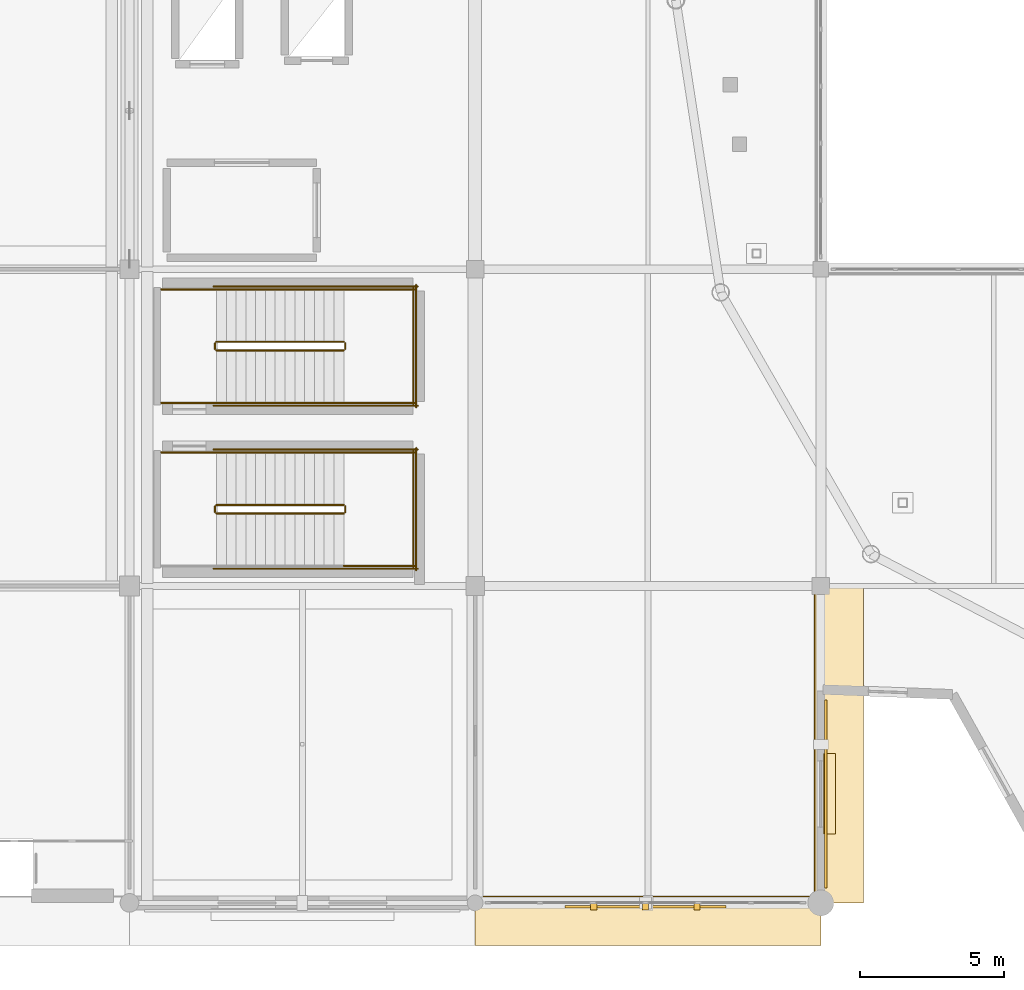
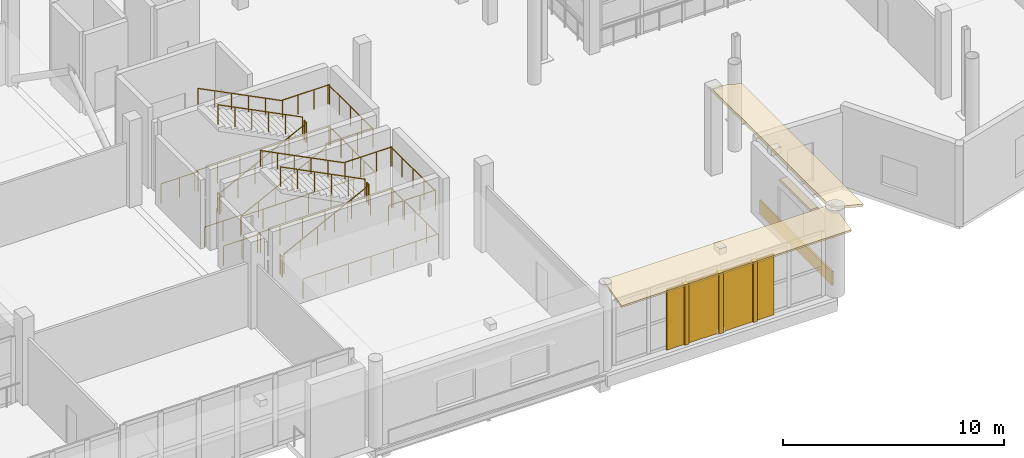
# One storey, part 120 of 143: 26 railings, 7 coverings, 1 shading device.
"""IFC4 building model written with IfcOpenShell, lengths in metres."""

from ifc_helpers import new_model, si_unit, direction, frame, origin, origin_2d, place, context, subcontext, project, spatial, polyline, rectangle, circle, outline, extrude, material, layer, layer_set, type_object, element, save


model = new_model("IFC4")

# Units and contexts
model_context = context("Model", 3, precision=1e-05, world=origin(), true_north=direction((0.0, 1.0)))
body_context = subcontext(model_context, "Body", "Model", "MODEL_VIEW")
ifc_project = project(units=[si_unit("LENGTHUNIT", "METRE"), si_unit("AREAUNIT", "SQUARE_METRE"), si_unit("VOLUMEUNIT", "CUBIC_METRE"), si_unit("PLANEANGLEUNIT", "RADIAN"), si_unit("MASSUNIT", "GRAM", prefix="KILO")], contexts=[model_context])

# Site, building, storey
site_placement = place(None, origin())
site = spatial("IfcSite", under=ifc_project, at=site_placement, CompositionType="ELEMENT")
building_placement = place(site_placement, origin())
building = spatial("IfcBuilding", under=site, at=building_placement, Name="Luwafu Chhajja Arena", CompositionType="ELEMENT")
storey_placement = place(building_placement, frame((0.0, 0.0, 5.39990234375)))
storey = spatial("IfcBuildingStorey", under=building, at=storey_placement, Name="L01", CompositionType="ELEMENT", Elevation=5.39990234375)

# Coverings
ifc_material_1 = material(Name="Red laterite sandstone cladding", Category="masonry")
ifc_layer_1 = layer(ifc_material_1, 0.074951171875, Name="Red laterite sandstone cladding")
ifc_layer_set_1 = layer_set([ifc_layer_1], Name="Red laterite sandstone cladding")
covering_type = type_object("IfcCoveringType", Name="Dressed Red-Laterite Sandstone Cladding", PredefinedType="CLADDING", material=ifc_layer_set_1)
covering_1_placement = place(storey_placement, frame((46.0, 0.199951171875, 4.760009765625), z_axis=(0.0, -0.242502450825, 0.970150793096), x_axis=(1.0, 0.0, 0.0)))
element("IfcCovering", 1, at=covering_1_placement, inside=storey, type_object=covering_type, Name="L01 Continuous Sloped Sandstone Chhajja Eave 0090", PredefinedType="CLADDING", context=body_context, shape_type="SweptSolid", body=[
    extrude(outline(polyline([(0.0, 0.0), (12.0, 0.0), (12.0, -1.731619097341133), (0.0, -1.731619097341133), (0.0, 0.0)])), origin(), (0.0, 0.0, -1.0), 0.1298828125),
])
for number, where, z_axis, x_axis, name in (
    (2, (50.12060546875, -0.1298828125, 0.0), (0.0, 0.0, 1.0), (1.0, 0.0, 0.0), "L01 Sandstone Jali Mullion Fin 012"),
    (3, (51.91259765625, -0.1298828125, 0.0), (0.0, 0.0, 1.0), (1.0, 0.0, 0.0), "L01 Sandstone Jali Mullion Fin 012"),
    (4, (53.70458984375, -0.1298828125, 0.0), (0.0, 0.0, 1.0), (1.0, 0.0, 0.0), "L01 Sandstone Jali Mullion Fin 012"),
):
    element("IfcCovering", number, at=place(storey_placement, frame(where, z_axis=z_axis, x_axis=x_axis)), inside=storey, type_object=covering_type, Name=name, PredefinedType="CLADDING", context=body_context, shape_type="SweptSolid", body=[
        extrude(rectangle(XDim=0.219970703125, YDim=0.239990234375, at=origin_2d()), origin(), (0.0, 0.0, 1.0), 3.340087890625),
    ])
covering_2_placement = place(storey_placement, frame((57.800048828125, 0.0, 4.760009765625), z_axis=(0.242502450825, 0.0, 0.970150793096), x_axis=(0.0, 1.0, 0.0)))
element("IfcCovering", 5, at=covering_2_placement, inside=storey, type_object=covering_type, Name="L01 Continuous Sloped Sandstone Chhajja Eave 0091", PredefinedType="CLADDING", context=body_context, shape_type="SweptSolid", body=[
    extrude(outline(polyline([(0.0, 0.0), (11.0, 0.0), (11.0, -1.731619097341133), (0.0, -1.731619097341133), (0.0, 0.0)])), origin(), (0.0, 0.0, -1.0), 0.1298828125),
])
covering_3_placement = place(storey_placement, frame((58.172119140625, 3.7841796875, 0.0), z_axis=(0.0, 0.0, 1.0), x_axis=(0.0, 1.0, 0.0)))
element("IfcCovering", 6, at=covering_3_placement, inside=storey, type_object=covering_type, Name="L01 Red-Laterite Sandstone Plinth Cladding 021", PredefinedType="CLADDING", context=body_context, shape_type="SweptSolid", body=[
    extrude(rectangle(XDim=6.5283203125, YDim=0.0849609375, at=origin_2d()), origin(), (0.0, 0.0, 1.0), 0.760009765625),
])
covering_4_placement = place(storey_placement, frame((58.300048828125, 3.7841796875, 2.93017578125), z_axis=(0.0, 0.0, 1.0), x_axis=(0.0, 1.0, 0.0)))
element("IfcCovering", 7, at=covering_4_placement, inside=storey, type_object=covering_type, Name="L01 Mughal Sandstone Window Chhajja Hood 0020", PredefinedType="CLADDING", context=body_context, shape_type="SweptSolid", body=[
    extrude(rectangle(XDim=2.800048828125, YDim=0.419921875, at=origin_2d()), origin(), (0.0, 0.0, 1.0), 0.139892578125),
])

# Shading device
ifc_material_2 = material(Name="Pierced buff sandstone jali", Category="masonry")
ifc_layer_2 = layer(ifc_material_2, 0.080078125, Name="Pierced buff sandstone jali")
ifc_layer_set_2 = layer_set([ifc_layer_2], Name="Pierced buff sandstone jali")
shading_device_type = type_object("IfcShadingDeviceType", Name="Pierced Buff-Sandstone Jali Screen", PredefinedType="JALOUSIE", material=ifc_layer_set_2)
shading_device_placement = place(storey_placement, frame((51.91259765625, -0.1298828125, 0.0), z_axis=(0.0, 0.0, 1.0), x_axis=(1.0, 0.0, 0.0)))
element("IfcShadingDevice", 8, at=shading_device_placement, inside=storey, type_object=shading_device_type, Name="L01 Pierced Buff-Sandstone Jali Screen 012", PredefinedType="JALOUSIE", context=body_context, shape_type="SweptSolid", body=[
    extrude(rectangle(XDim=5.60009765625, YDim=0.080078125, at=origin_2d()), origin(), (0.0, 0.0, 1.0), 3.340087890625),
])

# Railings
ifc_material_3 = material(Name="Stainless steel handrail", Category="steel")
railing_type_1 = type_object("IfcRailingType", Name="Stair Pitch Wall Handrail 920", PredefinedType="HANDRAIL", material=ifc_material_3)
railing_1_placement = place(storey_placement, frame((41.43994140625, 15.639892578125, 2.571533203125)))
element("IfcRailing", 9, at=railing_1_placement, inside=storey, type_object=railing_type_1, Name="L01 ST-01 stair handrail 2", PredefinedType="HANDRAIL", context=body_context, shape_type="SweptSolid", body=[
    extrude(circle(Radius=0.02392578125, at=origin_2d()), frame((0.0, 0.0, 0.8759765625), z_axis=(-0.89292277971, 0.0, 0.450209850486), x_axis=(0.0, -1.0, 0.0)), (0.0, 0.0, 1.0), 4.949951171875),
    extrude(circle(Radius=0.02099609375, at=origin_2d()), origin(), (0.0, 0.0, 1.0), 0.851806640625),
    extrude(circle(Radius=0.02099609375, at=origin_2d()), frame((-0.884033203125, 0.0, 0.44580078125)), (0.0, 0.0, 1.0), 0.851806640625),
    extrude(circle(Radius=0.02099609375, at=origin_2d()), frame((-1.76806640625, 0.0, 0.891357421875)), (0.0, 0.0, 1.0), 0.851806640625),
    extrude(circle(Radius=0.02099609375, at=origin_2d()), frame((-2.65185546875, 0.0, 1.337158203125)), (0.0, 0.0, 1.0), 0.851806640625),
    extrude(circle(Radius=0.02099609375, at=origin_2d()), frame((-3.535888671875, 0.0, 1.78271484375)), (0.0, 0.0, 1.0), 0.851806640625),
    extrude(circle(Radius=0.02099609375, at=origin_2d()), frame((-4.419921875, 0.0, 2.228515625)), (0.0, 0.0, 1.0), 0.851806640625),
])
railing_2_placement = place(storey_placement, frame((37.02001953125, 17.360107421875, 0.171630859375)))
element("IfcRailing", 10, at=railing_2_placement, inside=storey, type_object=railing_type_1, Name="L01 ST-02 stair handrail 1", PredefinedType="HANDRAIL", context=body_context, shape_type="SweptSolid", body=[
    extrude(circle(Radius=0.02392578125, at=origin_2d()), frame((0.0, 0.0, 0.8759765625), z_axis=(0.89292277971, 0.0, 0.450209850486), x_axis=(0.0, 1.0, 0.0)), (0.0, 0.0, 1.0), 4.949951171875),
    extrude(circle(Radius=0.02099609375, at=origin_2d()), origin(), (0.0, 0.0, 1.0), 0.851806640625),
    extrude(circle(Radius=0.02099609375, at=origin_2d()), frame((0.884033203125, 0.0, 0.44580078125)), (0.0, 0.0, 1.0), 0.851806640625),
    extrude(circle(Radius=0.02099609375, at=origin_2d()), frame((1.76806640625, 0.0, 0.891357421875)), (0.0, 0.0, 1.0), 0.851806640625),
    extrude(circle(Radius=0.02099609375, at=origin_2d()), frame((2.65185546875, 0.0, 1.337158203125)), (0.0, 0.0, 1.0), 0.851806640625),
    extrude(circle(Radius=0.02099609375, at=origin_2d()), frame((3.535888671875, 0.0, 1.78271484375)), (0.0, 0.0, 1.0), 0.851806640625),
    extrude(circle(Radius=0.02099609375, at=origin_2d()), frame((4.419921875, 0.0, 2.228515625)), (0.0, 0.0, 1.0), 0.851806640625),
])
railing_3_placement = place(storey_placement, frame((41.43994140625, 21.300048828125, 2.571533203125)))
element("IfcRailing", 11, at=railing_3_placement, inside=storey, type_object=railing_type_1, Name="L01 ST-02 stair handrail 2", PredefinedType="HANDRAIL", context=body_context, shape_type="SweptSolid", body=[
    extrude(circle(Radius=0.02392578125, at=origin_2d()), frame((0.0, 0.0, 0.8759765625), z_axis=(-0.89292277971, 0.0, 0.450209850486), x_axis=(0.0, -1.0, 0.0)), (0.0, 0.0, 1.0), 4.949951171875),
    extrude(circle(Radius=0.02099609375, at=origin_2d()), origin(), (0.0, 0.0, 1.0), 0.851806640625),
    extrude(circle(Radius=0.02099609375, at=origin_2d()), frame((-0.884033203125, 0.0, 0.44580078125)), (0.0, 0.0, 1.0), 0.851806640625),
    extrude(circle(Radius=0.02099609375, at=origin_2d()), frame((-1.76806640625, 0.0, 0.891357421875)), (0.0, 0.0, 1.0), 0.851806640625),
    extrude(circle(Radius=0.02099609375, at=origin_2d()), frame((-2.65185546875, 0.0, 1.337158203125)), (0.0, 0.0, 1.0), 0.851806640625),
    extrude(circle(Radius=0.02099609375, at=origin_2d()), frame((-3.535888671875, 0.0, 1.78271484375)), (0.0, 0.0, 1.0), 0.851806640625),
    extrude(circle(Radius=0.02099609375, at=origin_2d()), frame((-4.419921875, 0.0, 2.228515625)), (0.0, 0.0, 1.0), 0.851806640625),
])
ifc_material_4 = material(Name="Stainless steel balustrade", Category="steel")
railing_type_2 = type_object("IfcRailingType", Name="Stair and Terrace Guard Balustrade 1100", PredefinedType="BALUSTRADE", material=ifc_material_4)
railing_4_placement = place(storey_placement, frame((37.02001953125, 13.52001953125, 0.171630859375)))
element("IfcRailing", 12, at=railing_4_placement, inside=storey, type_object=railing_type_2, Name="L01 ST-01 stair guard 1", PredefinedType="BALUSTRADE", context=body_context, shape_type="SweptSolid", body=[
    extrude(circle(Radius=0.02392578125, at=origin_2d()), frame((0.0, 0.0, 1.076171875), z_axis=(0.89292277971, 0.0, 0.450209850486), x_axis=(0.0, 1.0, 0.0)), (0.0, 0.0, 1.0), 4.949951171875),
    extrude(circle(Radius=0.02099609375, at=origin_2d()), origin(), (0.0, 0.0, 1.0), 1.052001953125),
    extrude(circle(Radius=0.02099609375, at=origin_2d()), frame((0.884033203125, 0.0, 0.44580078125)), (0.0, 0.0, 1.0), 1.052001953125),
    extrude(circle(Radius=0.02099609375, at=origin_2d()), frame((1.76806640625, 0.0, 0.891357421875)), (0.0, 0.0, 1.0), 1.052001953125),
    extrude(circle(Radius=0.02099609375, at=origin_2d()), frame((2.65185546875, 0.0, 1.337158203125)), (0.0, 0.0, 1.0), 1.052001953125),
    extrude(circle(Radius=0.02099609375, at=origin_2d()), frame((3.535888671875, 0.0, 1.78271484375)), (0.0, 0.0, 1.0), 1.052001953125),
    extrude(circle(Radius=0.02099609375, at=origin_2d()), frame((4.419921875, 0.0, 2.228515625)), (0.0, 0.0, 1.0), 1.052001953125),
])
railing_5_placement = place(storey_placement, frame((41.489990234375, 13.570068359375, 2.400146484375)))
element("IfcRailing", 13, at=railing_5_placement, inside=storey, type_object=railing_type_2, Name="L01 ST-01 stair guard 2", PredefinedType="BALUSTRADE", context=body_context, shape_type="SweptSolid", body=[
    extrude(circle(Radius=0.02392578125, at=origin_2d()), frame((0.0, 0.0, 1.076171875), z_axis=(0.0, 1.0, 0.0), x_axis=(-1.0, 0.0, 0.0)), (0.0, 0.0, 1.0), 0.199951171875),
    extrude(circle(Radius=0.02099609375, at=origin_2d()), origin(), (0.0, 0.0, 1.0), 1.052001953125),
    extrude(circle(Radius=0.02099609375, at=origin_2d()), frame((0.0, 0.199951171875, 0.0)), (0.0, 0.0, 1.0), 1.052001953125),
])
for number, where, name in (
    (14, (41.43994140625, 11.699951171875, 2.400146484375), "L01 ST-01 stair guard 3"),
    (15, (41.43994140625, 15.639892578125, 2.400146484375), "L01 ST-01 stair guard 4"),
):
    element("IfcRailing", number, at=place(storey_placement, frame(where)), inside=storey, type_object=railing_type_2, Name=name, PredefinedType="BALUSTRADE", context=body_context, shape_type="SweptSolid", body=[
        extrude(circle(Radius=0.02392578125, at=origin_2d()), frame((0.0, 0.0, 1.076171875), z_axis=(1.0, 0.0, 0.0), x_axis=(0.0, 1.0, 0.0)), (0.0, 0.0, 1.0), 2.4599609375),
        extrude(circle(Radius=0.02099609375, at=origin_2d()), origin(), (0.0, 0.0, 1.0), 1.052001953125),
        extrude(circle(Radius=0.02099609375, at=origin_2d()), frame((0.820068359375, 0.0, 0.0)), (0.0, 0.0, 1.0), 1.052001953125),
        extrude(circle(Radius=0.02099609375, at=origin_2d()), frame((1.639892578125, 0.0, 0.0)), (0.0, 0.0, 1.0), 1.052001953125),
        extrude(circle(Radius=0.02099609375, at=origin_2d()), frame((2.4599609375, 0.0, 0.0)), (0.0, 0.0, 1.0), 1.052001953125),
    ])
railing_6_placement = place(storey_placement, frame((43.85009765625, 11.64990234375, 2.400146484375)))
element("IfcRailing", 16, at=railing_6_placement, inside=storey, type_object=railing_type_2, Name="L01 ST-01 stair guard 5", PredefinedType="BALUSTRADE", context=body_context, shape_type="SweptSolid", body=[
    extrude(circle(Radius=0.02392578125, at=origin_2d()), frame((0.0, 0.0, 1.076171875), z_axis=(0.0, 1.0, 0.0), x_axis=(-1.0, 0.0, 0.0)), (0.0, 0.0, 1.0), 4.0400390625),
    extrude(circle(Radius=0.02099609375, at=origin_2d()), origin(), (0.0, 0.0, 1.0), 1.052001953125),
    extrude(circle(Radius=0.02099609375, at=origin_2d()), frame((0.0, 1.010009765625, 0.0)), (0.0, 0.0, 1.0), 1.052001953125),
    extrude(circle(Radius=0.02099609375, at=origin_2d()), frame((0.0, 2.02001953125, 0.0)), (0.0, 0.0, 1.0), 1.052001953125),
    extrude(circle(Radius=0.02099609375, at=origin_2d()), frame((0.0, 3.030029296875, 0.0)), (0.0, 0.0, 1.0), 1.052001953125),
    extrude(circle(Radius=0.02099609375, at=origin_2d()), frame((0.0, 4.0400390625, 0.0)), (0.0, 0.0, 1.0), 1.052001953125),
])
railing_7_placement = place(storey_placement, frame((41.43994140625, 13.820068359375, 2.571533203125)))
element("IfcRailing", 17, at=railing_7_placement, inside=storey, type_object=railing_type_2, Name="L01 ST-01 stair guard 6", PredefinedType="BALUSTRADE", context=body_context, shape_type="SweptSolid", body=[
    extrude(circle(Radius=0.02392578125, at=origin_2d()), frame((0.0, 0.0, 1.076171875), z_axis=(-0.89292277971, 0.0, 0.450209850486), x_axis=(0.0, -1.0, 0.0)), (0.0, 0.0, 1.0), 4.949951171875),
    extrude(circle(Radius=0.02099609375, at=origin_2d()), origin(), (0.0, 0.0, 1.0), 1.052001953125),
    extrude(circle(Radius=0.02099609375, at=origin_2d()), frame((-0.884033203125, 0.0, 0.44580078125)), (0.0, 0.0, 1.0), 1.052001953125),
    extrude(circle(Radius=0.02099609375, at=origin_2d()), frame((-1.76806640625, 0.0, 0.891357421875)), (0.0, 0.0, 1.0), 1.052001953125),
    extrude(circle(Radius=0.02099609375, at=origin_2d()), frame((-2.65185546875, 0.0, 1.337158203125)), (0.0, 0.0, 1.0), 1.052001953125),
    extrude(circle(Radius=0.02099609375, at=origin_2d()), frame((-3.535888671875, 0.0, 1.78271484375)), (0.0, 0.0, 1.0), 1.052001953125),
    extrude(circle(Radius=0.02099609375, at=origin_2d()), frame((-4.419921875, 0.0, 2.228515625)), (0.0, 0.0, 1.0), 1.052001953125),
])
railing_8_placement = place(storey_placement, frame((36.969970703125, 13.570068359375, 0.0)))
element("IfcRailing", 18, at=railing_8_placement, inside=storey, type_object=railing_type_2, Name="L01 ST-01 stair guard 7", PredefinedType="BALUSTRADE", context=body_context, shape_type="SweptSolid", body=[
    extrude(circle(Radius=0.02392578125, at=origin_2d()), frame((0.0, 0.0, 1.076171875), z_axis=(0.0, 1.0, 0.0), x_axis=(-1.0, 0.0, 0.0)), (0.0, 0.0, 1.0), 0.199951171875),
    extrude(circle(Radius=0.02099609375, at=origin_2d()), origin(), (0.0, 0.0, 1.0), 1.052001953125),
    extrude(circle(Radius=0.02099609375, at=origin_2d()), frame((0.0, 0.199951171875, 0.0)), (0.0, 0.0, 1.0), 1.052001953125),
])
railing_9_placement = place(storey_placement, frame((35.10009765625, 15.639892578125, 0.0)))
element("IfcRailing", 19, at=railing_9_placement, inside=storey, type_object=railing_type_2, Name="L01 ST-01 stair guard 9", PredefinedType="BALUSTRADE", context=body_context, shape_type="SweptSolid", body=[
    extrude(circle(Radius=0.02392578125, at=origin_2d()), frame((0.0, 0.0, 1.076171875), z_axis=(1.0, 0.0, 0.0), x_axis=(0.0, 1.0, 0.0)), (0.0, 0.0, 1.0), 1.919921875),
    extrude(circle(Radius=0.02099609375, at=origin_2d()), origin(), (0.0, 0.0, 1.0), 1.052001953125),
    extrude(circle(Radius=0.02099609375, at=origin_2d()), frame((0.9599609375, 0.0, 0.0)), (0.0, 0.0, 1.0), 1.052001953125),
    extrude(circle(Radius=0.02099609375, at=origin_2d()), frame((1.919921875, 0.0, 0.0)), (0.0, 0.0, 1.0), 1.052001953125),
])
for number, where, name in (
    (20, (36.919921875, 11.60009765625, 0.0), "L01 ST-01 stair guard 10"),
    (21, (36.919921875, 15.739990234375, 0.0), "L01 ST-01 stair guard 11"),
):
    element("IfcRailing", number, at=place(storey_placement, frame(where)), inside=storey, type_object=railing_type_2, Name=name, PredefinedType="BALUSTRADE", context=body_context, shape_type="SweptSolid", body=[
        extrude(circle(Radius=0.02392578125, at=origin_2d()), frame((0.0, 0.0, 1.076171875), z_axis=(1.0, 0.0, 0.0), x_axis=(0.0, 1.0, 0.0)), (0.0, 0.0, 1.0), 7.080078125),
        extrude(circle(Radius=0.02099609375, at=origin_2d()), origin(), (0.0, 0.0, 1.0), 1.052001953125),
        extrude(circle(Radius=0.02099609375, at=origin_2d()), frame((1.179931640625, 0.0, 0.0)), (0.0, 0.0, 1.0), 1.052001953125),
        extrude(circle(Radius=0.02099609375, at=origin_2d()), frame((2.360107421875, 0.0, 0.0)), (0.0, 0.0, 1.0), 1.052001953125),
        extrude(circle(Radius=0.02099609375, at=origin_2d()), frame((3.5400390625, 0.0, 0.0)), (0.0, 0.0, 1.0), 1.052001953125),
        extrude(circle(Radius=0.02099609375, at=origin_2d()), frame((4.719970703125, 0.0, 0.0)), (0.0, 0.0, 1.0), 1.052001953125),
        extrude(circle(Radius=0.02099609375, at=origin_2d()), frame((5.900146484375, 0.0, 0.0)), (0.0, 0.0, 1.0), 1.052001953125),
        extrude(circle(Radius=0.02099609375, at=origin_2d()), frame((7.080078125, 0.0, 0.0)), (0.0, 0.0, 1.0), 1.052001953125),
    ])
railing_10_placement = place(storey_placement, frame((43.949951171875, 11.550048828125, 0.0)))
element("IfcRailing", 22, at=railing_10_placement, inside=storey, type_object=railing_type_2, Name="L01 ST-01 stair guard 12", PredefinedType="BALUSTRADE", context=body_context, shape_type="SweptSolid", body=[
    extrude(circle(Radius=0.02392578125, at=origin_2d()), frame((0.0, 0.0, 1.076171875), z_axis=(0.0, 1.0, 0.0), x_axis=(-1.0, 0.0, 0.0)), (0.0, 0.0, 1.0), 4.239990234375),
    extrude(circle(Radius=0.02099609375, at=origin_2d()), origin(), (0.0, 0.0, 1.0), 1.052001953125),
    extrude(circle(Radius=0.02099609375, at=origin_2d()), frame((0.0, 1.06005859375, 0.0)), (0.0, 0.0, 1.0), 1.052001953125),
    extrude(circle(Radius=0.02099609375, at=origin_2d()), frame((0.0, 2.1201171875, 0.0)), (0.0, 0.0, 1.0), 1.052001953125),
    extrude(circle(Radius=0.02099609375, at=origin_2d()), frame((0.0, 3.179931640625, 0.0)), (0.0, 0.0, 1.0), 1.052001953125),
    extrude(circle(Radius=0.02099609375, at=origin_2d()), frame((0.0, 4.239990234375, 0.0)), (0.0, 0.0, 1.0), 1.052001953125),
])
railing_11_placement = place(storey_placement, frame((37.02001953125, 19.179931640625, 0.171630859375)))
element("IfcRailing", 23, at=railing_11_placement, inside=storey, type_object=railing_type_2, Name="L01 ST-02 stair guard 1", PredefinedType="BALUSTRADE", context=body_context, shape_type="SweptSolid", body=[
    extrude(circle(Radius=0.02392578125, at=origin_2d()), frame((0.0, 0.0, 1.076171875), z_axis=(0.89292277971, 0.0, 0.450209850486), x_axis=(0.0, 1.0, 0.0)), (0.0, 0.0, 1.0), 4.949951171875),
    extrude(circle(Radius=0.02099609375, at=origin_2d()), origin(), (0.0, 0.0, 1.0), 1.052001953125),
    extrude(circle(Radius=0.02099609375, at=origin_2d()), frame((0.884033203125, 0.0, 0.44580078125)), (0.0, 0.0, 1.0), 1.052001953125),
    extrude(circle(Radius=0.02099609375, at=origin_2d()), frame((1.76806640625, 0.0, 0.891357421875)), (0.0, 0.0, 1.0), 1.052001953125),
    extrude(circle(Radius=0.02099609375, at=origin_2d()), frame((2.65185546875, 0.0, 1.337158203125)), (0.0, 0.0, 1.0), 1.052001953125),
    extrude(circle(Radius=0.02099609375, at=origin_2d()), frame((3.535888671875, 0.0, 1.78271484375)), (0.0, 0.0, 1.0), 1.052001953125),
    extrude(circle(Radius=0.02099609375, at=origin_2d()), frame((4.419921875, 0.0, 2.228515625)), (0.0, 0.0, 1.0), 1.052001953125),
])
railing_12_placement = place(storey_placement, frame((41.489990234375, 19.22998046875, 2.400146484375)))
element("IfcRailing", 24, at=railing_12_placement, inside=storey, type_object=railing_type_2, Name="L01 ST-02 stair guard 2", PredefinedType="BALUSTRADE", context=body_context, shape_type="SweptSolid", body=[
    extrude(circle(Radius=0.02392578125, at=origin_2d()), frame((0.0, 0.0, 1.076171875), z_axis=(0.0, 1.0, 0.0), x_axis=(-1.0, 0.0, 0.0)), (0.0, 0.0, 1.0), 0.199951171875),
    extrude(circle(Radius=0.02099609375, at=origin_2d()), origin(), (0.0, 0.0, 1.0), 1.052001953125),
    extrude(circle(Radius=0.02099609375, at=origin_2d()), frame((0.0, 0.199951171875, 0.0)), (0.0, 0.0, 1.0), 1.052001953125),
])
for number, where, name in (
    (25, (41.43994140625, 17.360107421875, 2.400146484375), "L01 ST-02 stair guard 3"),
    (26, (41.43994140625, 21.300048828125, 2.400146484375), "L01 ST-02 stair guard 4"),
):
    element("IfcRailing", number, at=place(storey_placement, frame(where)), inside=storey, type_object=railing_type_2, Name=name, PredefinedType="BALUSTRADE", context=body_context, shape_type="SweptSolid", body=[
        extrude(circle(Radius=0.02392578125, at=origin_2d()), frame((0.0, 0.0, 1.076171875), z_axis=(1.0, 0.0, 0.0), x_axis=(0.0, 1.0, 0.0)), (0.0, 0.0, 1.0), 2.4599609375),
        extrude(circle(Radius=0.02099609375, at=origin_2d()), origin(), (0.0, 0.0, 1.0), 1.052001953125),
        extrude(circle(Radius=0.02099609375, at=origin_2d()), frame((0.820068359375, 0.0, 0.0)), (0.0, 0.0, 1.0), 1.052001953125),
        extrude(circle(Radius=0.02099609375, at=origin_2d()), frame((1.639892578125, 0.0, 0.0)), (0.0, 0.0, 1.0), 1.052001953125),
        extrude(circle(Radius=0.02099609375, at=origin_2d()), frame((2.4599609375, 0.0, 0.0)), (0.0, 0.0, 1.0), 1.052001953125),
    ])
railing_13_placement = place(storey_placement, frame((43.85009765625, 17.31005859375, 2.400146484375)))
element("IfcRailing", 27, at=railing_13_placement, inside=storey, type_object=railing_type_2, Name="L01 ST-02 stair guard 5", PredefinedType="BALUSTRADE", context=body_context, shape_type="SweptSolid", body=[
    extrude(circle(Radius=0.02392578125, at=origin_2d()), frame((0.0, 0.0, 1.076171875), z_axis=(0.0, 1.0, 0.0), x_axis=(-1.0, 0.0, 0.0)), (0.0, 0.0, 1.0), 4.0400390625),
    extrude(circle(Radius=0.02099609375, at=origin_2d()), origin(), (0.0, 0.0, 1.0), 1.052001953125),
    extrude(circle(Radius=0.02099609375, at=origin_2d()), frame((0.0, 1.010009765625, 0.0)), (0.0, 0.0, 1.0), 1.052001953125),
    extrude(circle(Radius=0.02099609375, at=origin_2d()), frame((0.0, 2.02001953125, 0.0)), (0.0, 0.0, 1.0), 1.052001953125),
    extrude(circle(Radius=0.02099609375, at=origin_2d()), frame((0.0, 3.030029296875, 0.0)), (0.0, 0.0, 1.0), 1.052001953125),
    extrude(circle(Radius=0.02099609375, at=origin_2d()), frame((0.0, 4.0400390625, 0.0)), (0.0, 0.0, 1.0), 1.052001953125),
])
railing_14_placement = place(storey_placement, frame((41.43994140625, 19.47998046875, 2.571533203125)))
element("IfcRailing", 28, at=railing_14_placement, inside=storey, type_object=railing_type_2, Name="L01 ST-02 stair guard 6", PredefinedType="BALUSTRADE", context=body_context, shape_type="SweptSolid", body=[
    extrude(circle(Radius=0.02392578125, at=origin_2d()), frame((0.0, 0.0, 1.076171875), z_axis=(-0.89292277971, 0.0, 0.450209850486), x_axis=(0.0, -1.0, 0.0)), (0.0, 0.0, 1.0), 4.949951171875),
    extrude(circle(Radius=0.02099609375, at=origin_2d()), origin(), (0.0, 0.0, 1.0), 1.052001953125),
    extrude(circle(Radius=0.02099609375, at=origin_2d()), frame((-0.884033203125, 0.0, 0.44580078125)), (0.0, 0.0, 1.0), 1.052001953125),
    extrude(circle(Radius=0.02099609375, at=origin_2d()), frame((-1.76806640625, 0.0, 0.891357421875)), (0.0, 0.0, 1.0), 1.052001953125),
    extrude(circle(Radius=0.02099609375, at=origin_2d()), frame((-2.65185546875, 0.0, 1.337158203125)), (0.0, 0.0, 1.0), 1.052001953125),
    extrude(circle(Radius=0.02099609375, at=origin_2d()), frame((-3.535888671875, 0.0, 1.78271484375)), (0.0, 0.0, 1.0), 1.052001953125),
    extrude(circle(Radius=0.02099609375, at=origin_2d()), frame((-4.419921875, 0.0, 2.228515625)), (0.0, 0.0, 1.0), 1.052001953125),
])
railing_15_placement = place(storey_placement, frame((36.969970703125, 19.22998046875, 0.0)))
element("IfcRailing", 29, at=railing_15_placement, inside=storey, type_object=railing_type_2, Name="L01 ST-02 stair guard 7", PredefinedType="BALUSTRADE", context=body_context, shape_type="SweptSolid", body=[
    extrude(circle(Radius=0.02392578125, at=origin_2d()), frame((0.0, 0.0, 1.076171875), z_axis=(0.0, 1.0, 0.0), x_axis=(-1.0, 0.0, 0.0)), (0.0, 0.0, 1.0), 0.199951171875),
    extrude(circle(Radius=0.02099609375, at=origin_2d()), origin(), (0.0, 0.0, 1.0), 1.052001953125),
    extrude(circle(Radius=0.02099609375, at=origin_2d()), frame((0.0, 0.199951171875, 0.0)), (0.0, 0.0, 1.0), 1.052001953125),
])
for number, where, name in (
    (30, (35.10009765625, 17.360107421875, 0.0), "L01 ST-02 stair guard 8"),
    (31, (35.10009765625, 21.300048828125, 0.0), "L01 ST-02 stair guard 9"),
):
    element("IfcRailing", number, at=place(storey_placement, frame(where)), inside=storey, type_object=railing_type_2, Name=name, PredefinedType="BALUSTRADE", context=body_context, shape_type="SweptSolid", body=[
        extrude(circle(Radius=0.02392578125, at=origin_2d()), frame((0.0, 0.0, 1.076171875), z_axis=(1.0, 0.0, 0.0), x_axis=(0.0, 1.0, 0.0)), (0.0, 0.0, 1.0), 1.919921875),
        extrude(circle(Radius=0.02099609375, at=origin_2d()), origin(), (0.0, 0.0, 1.0), 1.052001953125),
        extrude(circle(Radius=0.02099609375, at=origin_2d()), frame((0.9599609375, 0.0, 0.0)), (0.0, 0.0, 1.0), 1.052001953125),
        extrude(circle(Radius=0.02099609375, at=origin_2d()), frame((1.919921875, 0.0, 0.0)), (0.0, 0.0, 1.0), 1.052001953125),
    ])
for number, where, name in (
    (32, (36.919921875, 17.260009765625, 0.0), "L01 ST-02 stair guard 10"),
    (33, (36.919921875, 21.39990234375, 0.0), "L01 ST-02 stair guard 11"),
):
    element("IfcRailing", number, at=place(storey_placement, frame(where)), inside=storey, type_object=railing_type_2, Name=name, PredefinedType="BALUSTRADE", context=body_context, shape_type="SweptSolid", body=[
        extrude(circle(Radius=0.02392578125, at=origin_2d()), frame((0.0, 0.0, 1.076171875), z_axis=(1.0, 0.0, 0.0), x_axis=(0.0, 1.0, 0.0)), (0.0, 0.0, 1.0), 7.080078125),
        extrude(circle(Radius=0.02099609375, at=origin_2d()), origin(), (0.0, 0.0, 1.0), 1.052001953125),
        extrude(circle(Radius=0.02099609375, at=origin_2d()), frame((1.179931640625, 0.0, 0.0)), (0.0, 0.0, 1.0), 1.052001953125),
        extrude(circle(Radius=0.02099609375, at=origin_2d()), frame((2.360107421875, 0.0, 0.0)), (0.0, 0.0, 1.0), 1.052001953125),
        extrude(circle(Radius=0.02099609375, at=origin_2d()), frame((3.5400390625, 0.0, 0.0)), (0.0, 0.0, 1.0), 1.052001953125),
        extrude(circle(Radius=0.02099609375, at=origin_2d()), frame((4.719970703125, 0.0, 0.0)), (0.0, 0.0, 1.0), 1.052001953125),
        extrude(circle(Radius=0.02099609375, at=origin_2d()), frame((5.900146484375, 0.0, 0.0)), (0.0, 0.0, 1.0), 1.052001953125),
        extrude(circle(Radius=0.02099609375, at=origin_2d()), frame((7.080078125, 0.0, 0.0)), (0.0, 0.0, 1.0), 1.052001953125),
    ])
railing_16_placement = place(storey_placement, frame((43.949951171875, 17.2099609375, 0.0)))
element("IfcRailing", 34, at=railing_16_placement, inside=storey, type_object=railing_type_2, Name="L01 ST-02 stair guard 12", PredefinedType="BALUSTRADE", context=body_context, shape_type="SweptSolid", body=[
    extrude(circle(Radius=0.02392578125, at=origin_2d()), frame((0.0, 0.0, 1.076171875), z_axis=(0.0, 1.0, 0.0), x_axis=(-1.0, 0.0, 0.0)), (0.0, 0.0, 1.0), 4.239990234375),
    extrude(circle(Radius=0.02099609375, at=origin_2d()), origin(), (0.0, 0.0, 1.0), 1.052001953125),
    extrude(circle(Radius=0.02099609375, at=origin_2d()), frame((0.0, 1.06005859375, 0.0)), (0.0, 0.0, 1.0), 1.052001953125),
    extrude(circle(Radius=0.02099609375, at=origin_2d()), frame((0.0, 2.1201171875, 0.0)), (0.0, 0.0, 1.0), 1.052001953125),
    extrude(circle(Radius=0.02099609375, at=origin_2d()), frame((0.0, 3.179931640625, 0.0)), (0.0, 0.0, 1.0), 1.052001953125),
    extrude(circle(Radius=0.02099609375, at=origin_2d()), frame((0.0, 4.239990234375, 0.0)), (0.0, 0.0, 1.0), 1.052001953125),
])

save(model, "model.ifc")
